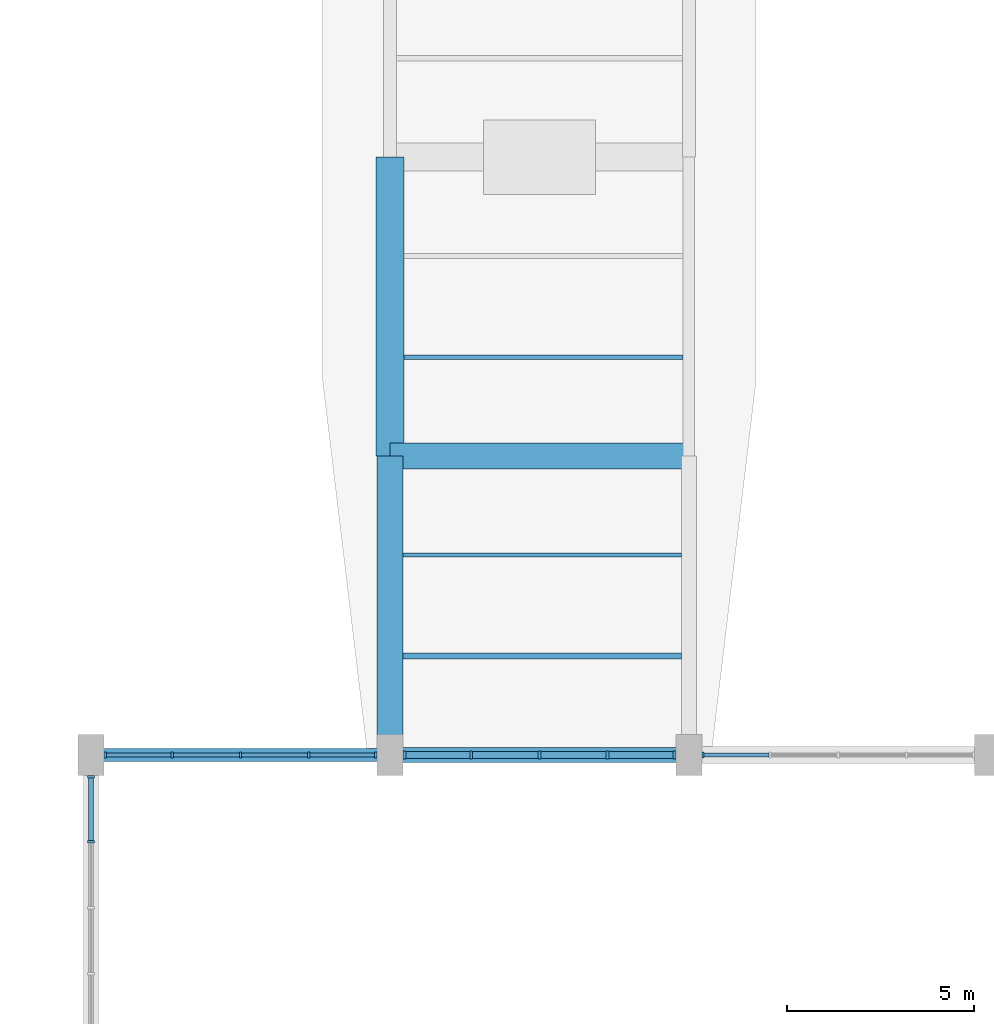
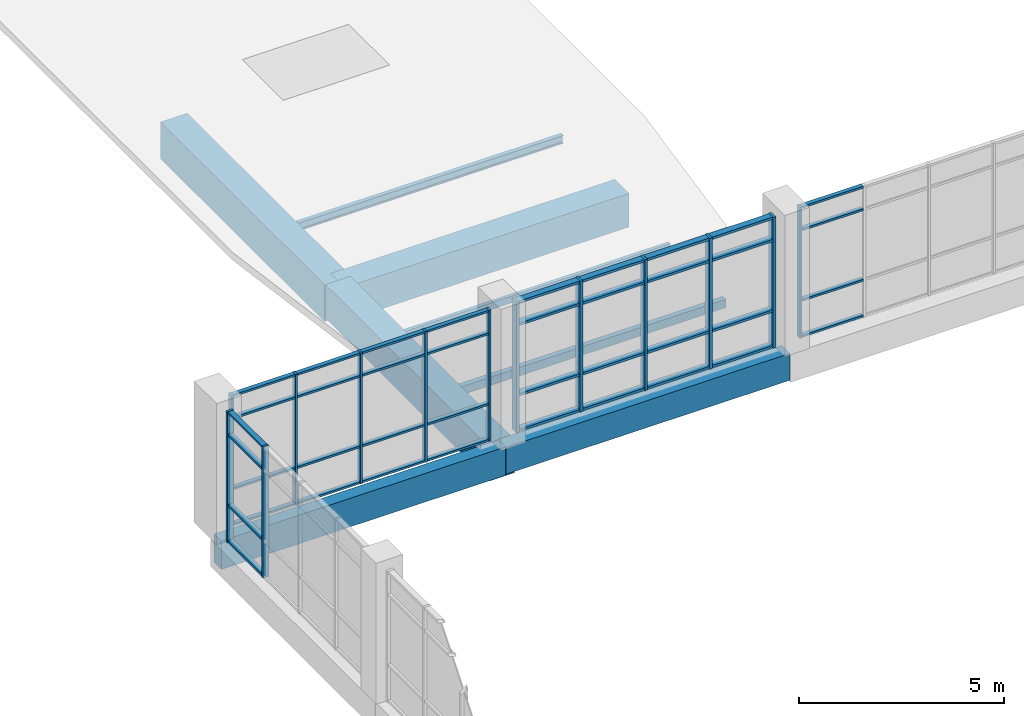
# One storey, part 7 of 72: 53 members, 8 beams, 4 elements without a shape of their own.
"""IFC4 building model written with IfcOpenShell, lengths in metres."""

import ifcopenshell
import ifcopenshell.guid

model = None  # the IFC model being written
_history = None  # IfcOwnerHistory: only IFC2X3 demands one
_inside = {}  # id of a spatial element -> (the spatial element, [elements in it])
_under = {}  # id of a project, library or spatial element -> (it, [spatial elements below it])
_declared = {}  # id of a project -> (the project, [libraries it declares])
_typed = {}  # id of a type object -> (the type object, [elements of that type])
_made_of = {}  # id of a material, layer set ... -> (it, [elements and type objects made of it])


def new_model(schema):
    """Start an empty IFC model of exactly this schema.

    Asked for "IFC4X3", IfcOpenShell would pick the latest addendum, in which some entities
    have other attributes; the version numbers below select the first issue.
    IFC2X3 requires an IfcOwnerHistory on every rooted entity: one is made here for all.
    """
    global model, _history
    if schema == "IFC4X3":
        model = ifcopenshell.file(schema_version=(4, 3, 0, 0))
    else:
        model = ifcopenshell.file(schema=schema)
    _inside.clear()
    _under.clear()
    _declared.clear()
    _typed.clear()
    _made_of.clear()
    _history = None
    if model.schema == "IFC2X3":
        org = make("IfcOrganization", Name="unknown")
        user = make(
            "IfcPersonAndOrganization",
            ThePerson=make("IfcPerson", FamilyName="unknown"),
            TheOrganization=org,
        )
        app = make(
            "IfcApplication",
            ApplicationDeveloper=org,
            Version="unknown",
            ApplicationFullName="unknown",
            ApplicationIdentifier="unknown",
        )
        _history = make(
            "IfcOwnerHistory",
            OwningUser=user,
            OwningApplication=app,
            ChangeAction="ADDED",
            CreationDate=0,
        )
    return model


def make(cls, **values):
    """One entity of the class cls with the attributes given. An attribute that is None is left unset."""
    return model.create_entity(
        cls, **{name: value for name, value in values.items() if value is not None}
    )


def rooted(cls, **values):
    """An entity with a GlobalId (a new one), such as an element, a storey or a relation."""
    return make(cls, GlobalId=ifcopenshell.guid.new(), OwnerHistory=_history, **values)


def si_unit(unit_type, name, prefix=None):
    """IfcSIUnit, for example si_unit("LENGTHUNIT", "METRE", prefix="MILLI")."""
    return make("IfcSIUnit", UnitType=unit_type, Prefix=prefix, Name=name)


def assignment(units):
    """IfcUnitAssignment: the units of a project."""
    return None if units is None else make("IfcUnitAssignment", Units=units)


def point(xyz):
    """IfcCartesianPoint."""
    return None if xyz is None else make("IfcCartesianPoint", Coordinates=xyz)


def direction(xyz):
    """IfcDirection."""
    return None if xyz is None else make("IfcDirection", DirectionRatios=xyz)


def frame(location, z_axis=None, x_axis=None):
    """IfcAxis2Placement3D, a coordinate frame: its origin and axes. An axis left out is left unset."""
    return make(
        "IfcAxis2Placement3D",
        Location=point(location),
        Axis=direction(z_axis),
        RefDirection=direction(x_axis),
    )


def frame_2d(location, x_axis=None):
    """IfcAxis2Placement2D, a coordinate frame in the plane: its origin and x axis."""
    return make(
        "IfcAxis2Placement2D", Location=point(location), RefDirection=direction(x_axis)
    )


def origin():
    """The frame at (0, 0, 0) with its axes left unset."""
    return frame((0.0, 0.0, 0.0))


def origin_2d():
    """The frame at (0, 0) in the plane with its x axis left unset."""
    return frame_2d((0.0, 0.0))


def place(relative_to, where):
    """IfcLocalPlacement: puts the frame where relative to a parent placement (None: the world)."""
    return make(
        "IfcLocalPlacement", PlacementRelTo=relative_to, RelativePlacement=where
    )


def context(
    kind, dimensions, precision=None, world=None, true_north=None, identifier=None
):
    """IfcGeometricRepresentationContext, for example the 3D "Model" context."""
    return make(
        "IfcGeometricRepresentationContext",
        ContextIdentifier=identifier,
        ContextType=kind,
        CoordinateSpaceDimension=dimensions,
        Precision=precision,
        WorldCoordinateSystem=world,
        TrueNorth=true_north,
    )


def subcontext(parent, identifier, kind, view, scale=None):
    """IfcGeometricRepresentationSubContext, for example "Body" below "Model"."""
    return make(
        "IfcGeometricRepresentationSubContext",
        ContextIdentifier=identifier,
        ContextType=kind,
        ParentContext=parent,
        TargetScale=scale,
        TargetView=view,
    )


def project(units=None, contexts=None):
    """IfcProject with its units and contexts."""
    return rooted(
        "IfcProject",
        Name="project",
        RepresentationContexts=contexts,
        UnitsInContext=assignment(units),
    )


def spatial(cls, under=None, at=None, **own):
    """A site, building, storey or space (cls), placed at a placement, below another one or the project."""
    s = rooted(cls, ObjectPlacement=at, **own)
    if under is not None:
        _under.setdefault(under.id(), (under, []))[1].append(s)
    return s


def profile(cls, at=None, kind="AREA", **sizes):
    """A parametric profile (cls). Its sizes go by their IFC names, for example OverallWidth=200.0."""
    return make(cls, ProfileType=kind, Position=at, **sizes)


def rectangle(**sizes):
    """IfcRectangleProfileDef."""
    return profile("IfcRectangleProfileDef", **sizes)


def hollow_rectangle(**sizes):
    """IfcRectangleHollowProfileDef."""
    return profile("IfcRectangleHollowProfileDef", **sizes)


def i_section(**sizes):
    """IfcIShapeProfileDef."""
    return profile("IfcIShapeProfileDef", **sizes)


def extrude(swept, where, along, depth):
    """IfcExtrudedAreaSolid: the profile swept, set in the frame where, extruded along a direction by depth."""
    return make(
        "IfcExtrudedAreaSolid",
        SweptArea=swept,
        Position=where,
        ExtrudedDirection=direction(along),
        Depth=depth,
    )


def shape(context_of_items, identifier, shape_type, items):
    """IfcShapeRepresentation: the items that make up one representation, for example the "Body"."""
    return make(
        "IfcShapeRepresentation",
        ContextOfItems=context_of_items,
        RepresentationIdentifier=identifier,
        RepresentationType=shape_type,
        Items=items,
    )


def material(Name=None, Category=None):
    """IfcMaterial."""
    return make("IfcMaterial", Name=Name, Category=Category)


def material_profile(
    of_material, cross_section, Name=None, Category=None, Priority=None
):
    """IfcMaterialProfile: a cross section and its material."""
    return make(
        "IfcMaterialProfile",
        Name=Name,
        Material=of_material,
        Profile=cross_section,
        Priority=Priority,
        Category=Category,
    )


def profile_set(profiles, Name=None, composite=None):
    """IfcMaterialProfileSet."""
    return make(
        "IfcMaterialProfileSet",
        Name=Name,
        MaterialProfiles=profiles,
        CompositeProfile=composite,
    )


def made_of(thing, what):
    """Note that an element or type object is made of a material, layer set ...; save() writes the relation."""
    if what is not None:
        _made_of.setdefault(what.id(), (what, []))[1].append(thing)
    return thing


def type_object(cls, material=None, **own):
    """A type object (cls), such as IfcWallType, which elements share."""
    return made_of(rooted(cls, **own), material)


def element(
    cls,
    number,
    at=None,
    inside=None,
    cuts=None,
    type_object=None,
    material=None,
    context=None,
    identifier="Body",
    shape_type=None,
    held_by="IfcProductDefinitionShape",
    body=None,
    shapes=None,
    **own,
):
    """One element of the class cls, such as IfcWall. Its Tag is "e" and its number.

    at: its placement. inside: the storey or other place that contains it. cuts: it is an
    opening in that element (IfcRelVoidsElement). A single representation is given by context,
    identifier, shape_type and body (its items); several are given by shapes. held_by: the class
    of the entity that holds the representations. save() writes the other relations.
    """
    e = rooted(cls, Tag="e%d" % number, ObjectPlacement=at, **own)
    if body is not None:
        shapes = [shape(context, identifier, shape_type, body)]
    if shapes is not None:
        e.Representation = make(held_by, Representations=shapes)
    if inside is not None:
        _inside.setdefault(inside.id(), (inside, []))[1].append(e)
    if cuts is not None:
        rooted(
            "IfcRelVoidsElement", RelatingBuildingElement=cuts, RelatedOpeningElement=e
        )
    if type_object is not None:
        _typed.setdefault(type_object.id(), (type_object, []))[1].append(e)
    return made_of(e, material)


def aggregate(whole, parts):
    """IfcRelAggregates: a whole, such as a stair, and the parts it consists of."""
    return rooted("IfcRelAggregates", RelatingObject=whole, RelatedObjects=parts)


def save(model, path):
    """Write the relations noted so far, then the file.

    IfcRelAggregates (storeys below a building ...), IfcRelContainedInSpatialStructure (elements
    in a storey), IfcRelDefinesByType, IfcRelAssociatesMaterial and IfcRelDeclares: one each for
    every whole, place, type object, material and project.
    """
    for whole, parts in _under.values():
        aggregate(whole, parts)
    for where, things in _inside.values():
        rooted(
            "IfcRelContainedInSpatialStructure",
            RelatedElements=things,
            RelatingStructure=where,
        )
    for kind, things in _typed.values():
        rooted("IfcRelDefinesByType", RelatedObjects=things, RelatingType=kind)
    for what, things in _made_of.values():
        rooted("IfcRelAssociatesMaterial", RelatedObjects=things, RelatingMaterial=what)
    for by, libraries in _declared.values():
        rooted("IfcRelDeclares", RelatingContext=by, RelatedDefinitions=libraries)
    model.write(path)


model = new_model("IFC4")

# Units and contexts
model_context = context("Model", 3, precision=1e-05, world=origin(), true_north=direction((0.0, 1.0)))
body_context = subcontext(model_context, "Body", "Model", "MODEL_VIEW")
ifc_project = project(units=[si_unit("LENGTHUNIT", "METRE"), si_unit("AREAUNIT", "SQUARE_METRE"), si_unit("VOLUMEUNIT", "CUBIC_METRE"), si_unit("PLANEANGLEUNIT", "RADIAN"), si_unit("MASSUNIT", "GRAM", prefix="KILO")], contexts=[model_context])

# Site, building, storey
site_placement = place(None, origin())
site = spatial("IfcSite", under=ifc_project, at=site_placement, CompositionType="ELEMENT")
building_placement = place(site_placement, origin())
building = spatial("IfcBuilding", under=site, at=building_placement, Name="Tenunan Teduh Sports Hall", CompositionType="ELEMENT")
storey_placement = place(building_placement, frame((0.0, 0.0, 15.0)))
storey = spatial("IfcBuildingStorey", under=building, at=storey_placement, Name="L03", CompositionType="ELEMENT", Elevation=15.0)

# Beams
ifc_material_1 = material(Name="Concrete C40/50", Category="concrete")
ifc_material_profile_1 = material_profile(ifc_material_1, rectangle(XDim=0.39990234375, YDim=0.800048828125, at=origin_2d()), Name="RCB 400x800")
ifc_profile_set_1 = profile_set([ifc_material_profile_1], Name="Concrete C40/50")
beam_type_1 = type_object("IfcBeamType", Name="BM-RC-400x800", PredefinedType="BEAM", material=ifc_profile_set_1)
beam_1_placement = place(storey_placement, frame((14.0, 46.0, -0.639892578125), z_axis=(1.0, 0.0, 0.0), x_axis=(0.0, 1.0, 0.0)))
element("IfcBeam", 1, at=beam_1_placement, inside=storey, type_object=beam_type_1, Name="BM-B-10-L03-1817", PredefinedType="BEAM", context=body_context, shape_type="SweptSolid", body=[
    extrude(rectangle(XDim=0.39990234375, YDim=0.800048828125, at=origin_2d()), origin(), (0.0, 0.0, 1.0), 8.0),
])
ifc_material_2 = material(Name="Concrete C40/50", Category="concrete")
ifc_material_profile_2 = material_profile(ifc_material_2, rectangle(XDim=0.699951171875, YDim=1.0, at=origin_2d()), Name="RCB 700x1000")
ifc_profile_set_2 = profile_set([ifc_material_profile_2], Name="Concrete C40/50")
beam_type_2 = type_object("IfcBeamType", Name="BM-RC-700x1000", PredefinedType="SPANDREL", material=ifc_profile_set_2)
for number, where, z_axis, x_axis, name in (
    (2, (14.0, 54.0, -0.739990234375), (1.0, 0.0, 0.0), (0.0, 1.0, 0.0), "BM-B-19-L03-1822"),
    (3, (14.0, 46.0, -0.739990234375), (0.0, 1.0, 0.0), (-1.0, 0.0, 0.0), "BM-B-19-L03-1885"),
):
    element("IfcBeam", number, at=place(storey_placement, frame(where, z_axis=z_axis, x_axis=x_axis)), inside=storey, type_object=beam_type_2, Name=name, PredefinedType="SPANDREL", context=body_context, shape_type="SweptSolid", body=[
        extrude(rectangle(XDim=0.699951171875, YDim=1.0, at=origin_2d()), origin(), (0.0, 0.0, 1.0), 8.0),
    ])
ifc_material_3 = material(Name="Concrete C40/50", Category="concrete")
ifc_material_profile_3 = material_profile(ifc_material_3, rectangle(XDim=0.75, YDim=1.10009765625, at=origin_2d()), Name="RCB 750x1100")
ifc_profile_set_3 = profile_set([ifc_material_profile_3], Name="Concrete C40/50")
beam_type_3 = type_object("IfcBeamType", Name="BM-RC-750x1100", PredefinedType="SPANDREL", material=ifc_profile_set_3)
beam_2_placement = place(storey_placement, frame((14.0, 54.0, -0.7900390625), z_axis=(0.0, 1.0, 0.0), x_axis=(-1.0, 0.0, 0.0)))
element("IfcBeam", 4, at=beam_2_placement, inside=storey, type_object=beam_type_3, Name="BM-B-20-L03-1886", PredefinedType="SPANDREL", context=body_context, shape_type="SweptSolid", body=[
    extrude(rectangle(XDim=0.75, YDim=1.10009765625, at=origin_2d()), origin(), (0.0, 0.0, 1.0), 8.0),
])
ifc_material_4 = material(Name="Concrete C40/50", Category="concrete")
ifc_material_profile_4 = material_profile(ifc_material_4, rectangle(XDim=0.35009765625, YDim=0.85009765625, at=origin_2d()), Name="SPB 350x850")
ifc_profile_set_4 = profile_set([ifc_material_profile_4], Name="Concrete C40/50")
beam_type_4 = type_object("IfcBeamType", Name="BM-SP-350x850", PredefinedType="SPANDREL", material=ifc_profile_set_4)
beam_3_placement = place(storey_placement, frame((6.0, 46.0, -0.6650390625), z_axis=(1.0, 0.0, 0.0), x_axis=(0.0, 1.0, 0.0)))
element("IfcBeam", 5, at=beam_3_placement, inside=storey, type_object=beam_type_4, Name="BM-SP-02-L03-1816", PredefinedType="SPANDREL", context=body_context, shape_type="SweptSolid", body=[
    extrude(rectangle(XDim=0.35009765625, YDim=0.85009765625, at=origin_2d()), origin(), (0.0, 0.0, 1.0), 8.0),
])

# Curtain wall, members
ifc_material_5 = material(Name="Anodised aluminium", Category="aluminium")
curtain_wall_type = type_object("IfcCurtainWallType", Name="CW-UNIT-2", PredefinedType="NOTDEFINED", material=ifc_material_5)
curtain_wall_1_placement = place(storey_placement, origin())
curtain_wall_1 = element("IfcCurtainWall", 6, at=curtain_wall_1_placement, inside=storey, type_object=curtain_wall_type, Name="CW-CWM-150-L03-075", PredefinedType="NOTDEFINED")
ifc_material_6 = material(Name="Anodised aluminium", Category="aluminium")
ifc_material_profile_5 = material_profile(ifc_material_6, rectangle(XDim=0.06005859375, YDim=0.14990234375, at=origin_2d()), Name="CWM 60x150")
ifc_profile_set_5 = profile_set([ifc_material_profile_5], Name="Anodised aluminium")
member_type_1 = type_object("IfcMemberType", Name="CWM-150", PredefinedType="MULLION", material=ifc_profile_set_5)
member_1_placement = place(storey_placement, frame((6.3798828125, 46.0, 0.0), z_axis=(0.0, 0.0, 1.0), x_axis=(1.0, 0.0, 0.0)))
member_1 = element("IfcMember", 7, at=member_1_placement, type_object=member_type_1, Name="CW-02 mullion 1", PredefinedType="MULLION", context=body_context, shape_type="SweptSolid", body=[
    extrude(rectangle(XDim=0.06005859375, YDim=0.14990234375, at=origin_2d()), origin(), (0.0, 0.0, 1.0), 3.89990234375),
])
member_2_placement = place(storey_placement, frame((8.175048828125, 46.0, 0.0), z_axis=(0.0, 0.0, 1.0), x_axis=(1.0, 0.0, 0.0)))
member_2 = element("IfcMember", 8, at=member_2_placement, type_object=member_type_1, Name="CW-02 mullion 2", PredefinedType="MULLION", context=body_context, shape_type="SweptSolid", body=[
    extrude(rectangle(XDim=0.06005859375, YDim=0.14990234375, at=origin_2d()), origin(), (0.0, 0.0, 1.0), 3.89990234375),
])
member_3_placement = place(storey_placement, frame((10.0, 46.0, 0.0), z_axis=(0.0, 0.0, 1.0), x_axis=(1.0, 0.0, 0.0)))
member_3 = element("IfcMember", 9, at=member_3_placement, type_object=member_type_1, Name="CW-02 mullion 3", PredefinedType="MULLION", context=body_context, shape_type="SweptSolid", body=[
    extrude(rectangle(XDim=0.06005859375, YDim=0.14990234375, at=origin_2d()), origin(), (0.0, 0.0, 1.0), 3.89990234375),
])
member_4_placement = place(storey_placement, frame((11.824951171875, 46.0, 0.0), z_axis=(0.0, 0.0, 1.0), x_axis=(1.0, 0.0, 0.0)))
member_4 = element("IfcMember", 10, at=member_4_placement, type_object=member_type_1, Name="CW-02 mullion 4", PredefinedType="MULLION", context=body_context, shape_type="SweptSolid", body=[
    extrude(rectangle(XDim=0.06005859375, YDim=0.14990234375, at=origin_2d()), origin(), (0.0, 0.0, 1.0), 3.89990234375),
])
member_5_placement = place(storey_placement, frame((13.6201171875, 46.0, 0.0), z_axis=(0.0, 0.0, 1.0), x_axis=(1.0, 0.0, 0.0)))
member_5 = element("IfcMember", 11, at=member_5_placement, type_object=member_type_1, Name="CW-02 mullion 5", PredefinedType="MULLION", context=body_context, shape_type="SweptSolid", body=[
    extrude(rectangle(XDim=0.06005859375, YDim=0.14990234375, at=origin_2d()), origin(), (0.0, 0.0, 1.0), 3.89990234375),
])

# Curtain wall, member
curtain_wall_2_placement = place(storey_placement, origin())
curtain_wall_2 = element("IfcCurtainWall", 12, at=curtain_wall_2_placement, inside=storey, type_object=curtain_wall_type, Name="CW-CWM-150-L03-079", PredefinedType="NOTDEFINED")
member_6_placement = place(storey_placement, frame((22.3798828125, 46.0, 0.0), z_axis=(0.0, 0.0, 1.0), x_axis=(1.0, 0.0, 0.0)))
member_6 = element("IfcMember", 13, at=member_6_placement, type_object=member_type_1, Name="CW-02 mullion 1", PredefinedType="MULLION", context=body_context, shape_type="SweptSolid", body=[
    extrude(rectangle(XDim=0.06005859375, YDim=0.14990234375, at=origin_2d()), origin(), (0.0, 0.0, 1.0), 3.89990234375),
])

# Curtain wall, members
curtain_wall_3_placement = place(storey_placement, origin())
curtain_wall_3 = element("IfcCurtainWall", 14, at=curtain_wall_3_placement, inside=storey, type_object=curtain_wall_type, Name="CW-CWM-175-L03-090", PredefinedType="NOTDEFINED")
ifc_material_7 = material(Name="Anodised aluminium", Category="aluminium")
ifc_material_profile_6 = material_profile(ifc_material_7, rectangle(XDim=0.06494140625, YDim=0.175048828125, at=origin_2d()), Name="CWM 65x175")
ifc_profile_set_6 = profile_set([ifc_material_profile_6], Name="Anodised aluminium")
member_type_2 = type_object("IfcMemberType", Name="CWM-175", PredefinedType="MULLION", material=ifc_profile_set_6)
member_7_placement = place(storey_placement, frame((6.0, 43.68115234375, 0.0), z_axis=(0.0, 0.0, 1.0), x_axis=(0.0, 1.0, 0.0)))
member_7 = element("IfcMember", 15, at=member_7_placement, type_object=member_type_2, Name="CW-02 mullion 4", PredefinedType="MULLION", context=body_context, shape_type="SweptSolid", body=[
    extrude(rectangle(XDim=0.06494140625, YDim=0.175048828125, at=origin_2d()), origin(), (0.0, 0.0, 1.0), 3.89990234375),
])
member_8_placement = place(storey_placement, frame((6.0, 45.41748046875, 0.0), z_axis=(0.0, 0.0, 1.0), x_axis=(0.0, 1.0, 0.0)))
member_8 = element("IfcMember", 16, at=member_8_placement, type_object=member_type_2, Name="CW-02 mullion 5", PredefinedType="MULLION", context=body_context, shape_type="SweptSolid", body=[
    extrude(rectangle(XDim=0.06494140625, YDim=0.175048828125, at=origin_2d()), origin(), (0.0, 0.0, 1.0), 3.89990234375),
])

curtain_wall_4_placement = place(storey_placement, origin())
curtain_wall_4 = element("IfcCurtainWall", 17, at=curtain_wall_4_placement, inside=storey, type_object=curtain_wall_type, Name="CW-CWM-220-L03-077", PredefinedType="NOTDEFINED")
ifc_material_8 = material(Name="Anodised aluminium", Category="aluminium")
ifc_material_profile_7 = material_profile(ifc_material_8, rectangle(XDim=0.074951171875, YDim=0.219970703125, at=origin_2d()), Name="CWM 75x220")
ifc_profile_set_7 = profile_set([ifc_material_profile_7], Name="Anodised aluminium")
member_type_3 = type_object("IfcMemberType", Name="CWM-220", PredefinedType="MULLION", material=ifc_profile_set_7)
member_9_placement = place(storey_placement, frame((14.387451171875, 46.0, 0.0), z_axis=(0.0, 0.0, 1.0), x_axis=(1.0, 0.0, 0.0)))
member_9 = element("IfcMember", 18, at=member_9_placement, type_object=member_type_3, Name="CW-02 mullion 1", PredefinedType="MULLION", context=body_context, shape_type="SweptSolid", body=[
    extrude(rectangle(XDim=0.074951171875, YDim=0.219970703125, at=origin_2d()), origin(), (0.0, 0.0, 1.0), 3.89990234375),
])
member_10_placement = place(storey_placement, frame((16.175048828125, 46.0, 0.0), z_axis=(0.0, 0.0, 1.0), x_axis=(1.0, 0.0, 0.0)))
member_10 = element("IfcMember", 19, at=member_10_placement, type_object=member_type_3, Name="CW-02 mullion 2", PredefinedType="MULLION", context=body_context, shape_type="SweptSolid", body=[
    extrude(rectangle(XDim=0.074951171875, YDim=0.219970703125, at=origin_2d()), origin(), (0.0, 0.0, 1.0), 3.89990234375),
])
member_11_placement = place(storey_placement, frame((18.0, 46.0, 0.0), z_axis=(0.0, 0.0, 1.0), x_axis=(1.0, 0.0, 0.0)))
member_11 = element("IfcMember", 20, at=member_11_placement, type_object=member_type_3, Name="CW-02 mullion 3", PredefinedType="MULLION", context=body_context, shape_type="SweptSolid", body=[
    extrude(rectangle(XDim=0.074951171875, YDim=0.219970703125, at=origin_2d()), origin(), (0.0, 0.0, 1.0), 3.89990234375),
])
member_12_placement = place(storey_placement, frame((19.824951171875, 46.0, 0.0), z_axis=(0.0, 0.0, 1.0), x_axis=(1.0, 0.0, 0.0)))
member_12 = element("IfcMember", 21, at=member_12_placement, type_object=member_type_3, Name="CW-02 mullion 4", PredefinedType="MULLION", context=body_context, shape_type="SweptSolid", body=[
    extrude(rectangle(XDim=0.074951171875, YDim=0.219970703125, at=origin_2d()), origin(), (0.0, 0.0, 1.0), 3.89990234375),
])
member_13_placement = place(storey_placement, frame((21.612548828125, 46.0, 0.0), z_axis=(0.0, 0.0, 1.0), x_axis=(1.0, 0.0, 0.0)))
member_13 = element("IfcMember", 22, at=member_13_placement, type_object=member_type_3, Name="CW-02 mullion 5", PredefinedType="MULLION", context=body_context, shape_type="SweptSolid", body=[
    extrude(rectangle(XDim=0.074951171875, YDim=0.219970703125, at=origin_2d()), origin(), (0.0, 0.0, 1.0), 3.89990234375),
])

# Member
ifc_material_9 = material(Name="Anodised aluminium", Category="aluminium")
ifc_material_profile_8 = material_profile(ifc_material_9, rectangle(XDim=0.06005859375, YDim=0.1201171875, at=origin_2d()), Name="CWT 60x120")
ifc_profile_set_8 = profile_set([ifc_material_profile_8], Name="Anodised aluminium")
member_type_4 = type_object("IfcMemberType", Name="CWT-125", PredefinedType="USERDEFINED", material=ifc_profile_set_8)
member_14_placement = place(storey_placement, frame((6.409912109375, 46.0, 0.030029296875), z_axis=(1.0, 0.0, 0.0), x_axis=(0.0, 0.0, 1.0)))
member_14 = element("IfcMember", 23, at=member_14_placement, type_object=member_type_4, Name="CW-02 transom 1.1", ObjectType="TRANSOM", PredefinedType="USERDEFINED", context=body_context, shape_type="SweptSolid", body=[
    extrude(rectangle(XDim=0.06005859375, YDim=0.1201171875, at=origin_2d()), origin(), (0.0, 0.0, 1.0), 1.735107421875),
])

member_15_placement = place(storey_placement, frame((6.409912109375, 46.0, 1.10009765625), z_axis=(1.0, 0.0, 0.0), x_axis=(0.0, 0.0, 1.0)))
member_15 = element("IfcMember", 24, at=member_15_placement, type_object=member_type_4, Name="CW-02 transom 1.2", ObjectType="TRANSOM", PredefinedType="USERDEFINED", context=body_context, shape_type="SweptSolid", body=[
    extrude(rectangle(XDim=0.06005859375, YDim=0.1201171875, at=origin_2d()), origin(), (0.0, 0.0, 1.0), 1.735107421875),
])

member_16_placement = place(storey_placement, frame((6.409912109375, 46.0, 3.199951171875), z_axis=(1.0, 0.0, 0.0), x_axis=(0.0, 0.0, 1.0)))
member_16 = element("IfcMember", 25, at=member_16_placement, type_object=member_type_4, Name="CW-02 transom 1.3", ObjectType="TRANSOM", PredefinedType="USERDEFINED", context=body_context, shape_type="SweptSolid", body=[
    extrude(rectangle(XDim=0.06005859375, YDim=0.1201171875, at=origin_2d()), origin(), (0.0, 0.0, 1.0), 1.735107421875),
])

member_17_placement = place(storey_placement, frame((6.409912109375, 46.0, 3.8701171875), z_axis=(1.0, 0.0, 0.0), x_axis=(0.0, 0.0, 1.0)))
member_17 = element("IfcMember", 26, at=member_17_placement, type_object=member_type_4, Name="CW-02 transom 1.4", ObjectType="TRANSOM", PredefinedType="USERDEFINED", context=body_context, shape_type="SweptSolid", body=[
    extrude(rectangle(XDim=0.06005859375, YDim=0.1201171875, at=origin_2d()), origin(), (0.0, 0.0, 1.0), 1.735107421875),
])

member_18_placement = place(storey_placement, frame((8.205078125, 46.0, 0.030029296875), z_axis=(1.0, 0.0, 0.0), x_axis=(0.0, 0.0, 1.0)))
member_18 = element("IfcMember", 27, at=member_18_placement, type_object=member_type_4, Name="CW-02 transom 2.1", ObjectType="TRANSOM", PredefinedType="USERDEFINED", context=body_context, shape_type="SweptSolid", body=[
    extrude(rectangle(XDim=0.06005859375, YDim=0.1201171875, at=origin_2d()), origin(), (0.0, 0.0, 1.0), 1.764892578125),
])

member_19_placement = place(storey_placement, frame((8.205078125, 46.0, 1.10009765625), z_axis=(1.0, 0.0, 0.0), x_axis=(0.0, 0.0, 1.0)))
member_19 = element("IfcMember", 28, at=member_19_placement, type_object=member_type_4, Name="CW-02 transom 2.2", ObjectType="TRANSOM", PredefinedType="USERDEFINED", context=body_context, shape_type="SweptSolid", body=[
    extrude(rectangle(XDim=0.06005859375, YDim=0.1201171875, at=origin_2d()), origin(), (0.0, 0.0, 1.0), 1.764892578125),
])

member_20_placement = place(storey_placement, frame((8.205078125, 46.0, 3.199951171875), z_axis=(1.0, 0.0, 0.0), x_axis=(0.0, 0.0, 1.0)))
member_20 = element("IfcMember", 29, at=member_20_placement, type_object=member_type_4, Name="CW-02 transom 2.3", ObjectType="TRANSOM", PredefinedType="USERDEFINED", context=body_context, shape_type="SweptSolid", body=[
    extrude(rectangle(XDim=0.06005859375, YDim=0.1201171875, at=origin_2d()), origin(), (0.0, 0.0, 1.0), 1.764892578125),
])

member_21_placement = place(storey_placement, frame((8.205078125, 46.0, 3.8701171875), z_axis=(1.0, 0.0, 0.0), x_axis=(0.0, 0.0, 1.0)))
member_21 = element("IfcMember", 30, at=member_21_placement, type_object=member_type_4, Name="CW-02 transom 2.4", ObjectType="TRANSOM", PredefinedType="USERDEFINED", context=body_context, shape_type="SweptSolid", body=[
    extrude(rectangle(XDim=0.06005859375, YDim=0.1201171875, at=origin_2d()), origin(), (0.0, 0.0, 1.0), 1.764892578125),
])

member_22_placement = place(storey_placement, frame((10.030029296875, 46.0, 0.030029296875), z_axis=(1.0, 0.0, 0.0), x_axis=(0.0, 0.0, 1.0)))
member_22 = element("IfcMember", 31, at=member_22_placement, type_object=member_type_4, Name="CW-02 transom 3.1", ObjectType="TRANSOM", PredefinedType="USERDEFINED", context=body_context, shape_type="SweptSolid", body=[
    extrude(rectangle(XDim=0.06005859375, YDim=0.1201171875, at=origin_2d()), origin(), (0.0, 0.0, 1.0), 1.764892578125),
])

member_23_placement = place(storey_placement, frame((10.030029296875, 46.0, 1.10009765625), z_axis=(1.0, 0.0, 0.0), x_axis=(0.0, 0.0, 1.0)))
member_23 = element("IfcMember", 32, at=member_23_placement, type_object=member_type_4, Name="CW-02 transom 3.2", ObjectType="TRANSOM", PredefinedType="USERDEFINED", context=body_context, shape_type="SweptSolid", body=[
    extrude(rectangle(XDim=0.06005859375, YDim=0.1201171875, at=origin_2d()), origin(), (0.0, 0.0, 1.0), 1.764892578125),
])

member_24_placement = place(storey_placement, frame((10.030029296875, 46.0, 3.199951171875), z_axis=(1.0, 0.0, 0.0), x_axis=(0.0, 0.0, 1.0)))
member_24 = element("IfcMember", 33, at=member_24_placement, type_object=member_type_4, Name="CW-02 transom 3.3", ObjectType="TRANSOM", PredefinedType="USERDEFINED", context=body_context, shape_type="SweptSolid", body=[
    extrude(rectangle(XDim=0.06005859375, YDim=0.1201171875, at=origin_2d()), origin(), (0.0, 0.0, 1.0), 1.764892578125),
])

member_25_placement = place(storey_placement, frame((10.030029296875, 46.0, 3.8701171875), z_axis=(1.0, 0.0, 0.0), x_axis=(0.0, 0.0, 1.0)))
member_25 = element("IfcMember", 34, at=member_25_placement, type_object=member_type_4, Name="CW-02 transom 3.4", ObjectType="TRANSOM", PredefinedType="USERDEFINED", context=body_context, shape_type="SweptSolid", body=[
    extrude(rectangle(XDim=0.06005859375, YDim=0.1201171875, at=origin_2d()), origin(), (0.0, 0.0, 1.0), 1.764892578125),
])

member_26_placement = place(storey_placement, frame((11.85498046875, 46.0, 0.030029296875), z_axis=(1.0, 0.0, 0.0), x_axis=(0.0, 0.0, 1.0)))
member_26 = element("IfcMember", 35, at=member_26_placement, type_object=member_type_4, Name="CW-02 transom 4.1", ObjectType="TRANSOM", PredefinedType="USERDEFINED", context=body_context, shape_type="SweptSolid", body=[
    extrude(rectangle(XDim=0.06005859375, YDim=0.1201171875, at=origin_2d()), origin(), (0.0, 0.0, 1.0), 1.735107421875),
])

member_27_placement = place(storey_placement, frame((11.85498046875, 46.0, 1.10009765625), z_axis=(1.0, 0.0, 0.0), x_axis=(0.0, 0.0, 1.0)))
member_27 = element("IfcMember", 36, at=member_27_placement, type_object=member_type_4, Name="CW-02 transom 4.2", ObjectType="TRANSOM", PredefinedType="USERDEFINED", context=body_context, shape_type="SweptSolid", body=[
    extrude(rectangle(XDim=0.06005859375, YDim=0.1201171875, at=origin_2d()), origin(), (0.0, 0.0, 1.0), 1.735107421875),
])

member_28_placement = place(storey_placement, frame((11.85498046875, 46.0, 3.199951171875), z_axis=(1.0, 0.0, 0.0), x_axis=(0.0, 0.0, 1.0)))
member_28 = element("IfcMember", 37, at=member_28_placement, type_object=member_type_4, Name="CW-02 transom 4.3", ObjectType="TRANSOM", PredefinedType="USERDEFINED", context=body_context, shape_type="SweptSolid", body=[
    extrude(rectangle(XDim=0.06005859375, YDim=0.1201171875, at=origin_2d()), origin(), (0.0, 0.0, 1.0), 1.735107421875),
])

member_29_placement = place(storey_placement, frame((11.85498046875, 46.0, 3.8701171875), z_axis=(1.0, 0.0, 0.0), x_axis=(0.0, 0.0, 1.0)))
member_29 = element("IfcMember", 38, at=member_29_placement, type_object=member_type_4, Name="CW-02 transom 4.4", ObjectType="TRANSOM", PredefinedType="USERDEFINED", context=body_context, shape_type="SweptSolid", body=[
    extrude(rectangle(XDim=0.06005859375, YDim=0.1201171875, at=origin_2d()), origin(), (0.0, 0.0, 1.0), 1.735107421875),
])

aggregate(curtain_wall_1, [member_1, member_2, member_3, member_4, member_5, member_14, member_15, member_16, member_17, member_18, member_19, member_20, member_21, member_22, member_23, member_24, member_25, member_26, member_27, member_28, member_29])

member_30_placement = place(storey_placement, frame((22.409912109375, 46.0, 0.030029296875), z_axis=(1.0, 0.0, 0.0), x_axis=(0.0, 0.0, 1.0)))
member_30 = element("IfcMember", 39, at=member_30_placement, type_object=member_type_4, Name="CW-02 transom 1.1", ObjectType="TRANSOM", PredefinedType="USERDEFINED", context=body_context, shape_type="SweptSolid", body=[
    extrude(rectangle(XDim=0.06005859375, YDim=0.1201171875, at=origin_2d()), origin(), (0.0, 0.0, 1.0), 1.735107421875),
])

member_31_placement = place(storey_placement, frame((22.409912109375, 46.0, 1.10009765625), z_axis=(1.0, 0.0, 0.0), x_axis=(0.0, 0.0, 1.0)))
member_31 = element("IfcMember", 40, at=member_31_placement, type_object=member_type_4, Name="CW-02 transom 1.2", ObjectType="TRANSOM", PredefinedType="USERDEFINED", context=body_context, shape_type="SweptSolid", body=[
    extrude(rectangle(XDim=0.06005859375, YDim=0.1201171875, at=origin_2d()), origin(), (0.0, 0.0, 1.0), 1.735107421875),
])

member_32_placement = place(storey_placement, frame((22.409912109375, 46.0, 3.199951171875), z_axis=(1.0, 0.0, 0.0), x_axis=(0.0, 0.0, 1.0)))
member_32 = element("IfcMember", 41, at=member_32_placement, type_object=member_type_4, Name="CW-02 transom 1.3", ObjectType="TRANSOM", PredefinedType="USERDEFINED", context=body_context, shape_type="SweptSolid", body=[
    extrude(rectangle(XDim=0.06005859375, YDim=0.1201171875, at=origin_2d()), origin(), (0.0, 0.0, 1.0), 1.735107421875),
])

member_33_placement = place(storey_placement, frame((22.409912109375, 46.0, 3.8701171875), z_axis=(1.0, 0.0, 0.0), x_axis=(0.0, 0.0, 1.0)))
member_33 = element("IfcMember", 42, at=member_33_placement, type_object=member_type_4, Name="CW-02 transom 1.4", ObjectType="TRANSOM", PredefinedType="USERDEFINED", context=body_context, shape_type="SweptSolid", body=[
    extrude(rectangle(XDim=0.06005859375, YDim=0.1201171875, at=origin_2d()), origin(), (0.0, 0.0, 1.0), 1.735107421875),
])

aggregate(curtain_wall_2, [member_6, member_30, member_31, member_32, member_33])

ifc_material_10 = material(Name="Anodised aluminium", Category="aluminium")
ifc_material_profile_9 = material_profile(ifc_material_10, rectangle(XDim=0.06494140625, YDim=0.139892578125, at=origin_2d()), Name="CWT 65x140")
ifc_profile_set_9 = profile_set([ifc_material_profile_9], Name="Anodised aluminium")
member_type_5 = type_object("IfcMemberType", Name="CWT-150", PredefinedType="USERDEFINED", material=ifc_profile_set_9)
member_34_placement = place(storey_placement, frame((6.0, 43.7138671875, 0.032470703125), z_axis=(0.0, 1.0, 0.0), x_axis=(0.0, 0.0, 1.0)))
member_34 = element("IfcMember", 43, at=member_34_placement, type_object=member_type_5, Name="CW-02 transom 4.1", ObjectType="TRANSOM", PredefinedType="USERDEFINED", context=body_context, shape_type="SweptSolid", body=[
    extrude(rectangle(XDim=0.06494140625, YDim=0.139892578125, at=origin_2d()), origin(), (0.0, 0.0, 1.0), 1.671142578125),
])

member_35_placement = place(storey_placement, frame((6.0, 43.7138671875, 1.10009765625), z_axis=(0.0, 1.0, 0.0), x_axis=(0.0, 0.0, 1.0)))
member_35 = element("IfcMember", 44, at=member_35_placement, type_object=member_type_5, Name="CW-02 transom 4.2", ObjectType="TRANSOM", PredefinedType="USERDEFINED", context=body_context, shape_type="SweptSolid", body=[
    extrude(rectangle(XDim=0.06494140625, YDim=0.139892578125, at=origin_2d()), origin(), (0.0, 0.0, 1.0), 1.671142578125),
])

member_36_placement = place(storey_placement, frame((6.0, 43.7138671875, 3.199951171875), z_axis=(0.0, 1.0, 0.0), x_axis=(0.0, 0.0, 1.0)))
member_36 = element("IfcMember", 45, at=member_36_placement, type_object=member_type_5, Name="CW-02 transom 4.3", ObjectType="TRANSOM", PredefinedType="USERDEFINED", context=body_context, shape_type="SweptSolid", body=[
    extrude(rectangle(XDim=0.06494140625, YDim=0.139892578125, at=origin_2d()), origin(), (0.0, 0.0, 1.0), 1.671142578125),
])

member_37_placement = place(storey_placement, frame((6.0, 43.7138671875, 3.867431640625), z_axis=(0.0, 1.0, 0.0), x_axis=(0.0, 0.0, 1.0)))
member_37 = element("IfcMember", 46, at=member_37_placement, type_object=member_type_5, Name="CW-02 transom 4.4", ObjectType="TRANSOM", PredefinedType="USERDEFINED", context=body_context, shape_type="SweptSolid", body=[
    extrude(rectangle(XDim=0.06494140625, YDim=0.139892578125, at=origin_2d()), origin(), (0.0, 0.0, 1.0), 1.671142578125),
])

aggregate(curtain_wall_3, [member_7, member_8, member_34, member_35, member_36, member_37])

ifc_material_11 = material(Name="Anodised aluminium", Category="aluminium")
ifc_material_profile_10 = material_profile(ifc_material_11, rectangle(XDim=0.074951171875, YDim=0.179931640625, at=origin_2d()), Name="CWT 75x180")
ifc_profile_set_10 = profile_set([ifc_material_profile_10], Name="Anodised aluminium")
member_type_6 = type_object("IfcMemberType", Name="CWT-180", PredefinedType="USERDEFINED", material=ifc_profile_set_10)
member_38_placement = place(storey_placement, frame((14.425048828125, 46.0, 0.03759765625), z_axis=(1.0, 0.0, 0.0), x_axis=(0.0, 0.0, 1.0)))
member_38 = element("IfcMember", 47, at=member_38_placement, type_object=member_type_6, Name="CW-02 transom 1.1", ObjectType="TRANSOM", PredefinedType="USERDEFINED", context=body_context, shape_type="SweptSolid", body=[
    extrude(rectangle(XDim=0.074951171875, YDim=0.179931640625, at=origin_2d()), origin(), (0.0, 0.0, 1.0), 1.71240234375),
])

member_39_placement = place(storey_placement, frame((14.425048828125, 46.0, 1.10009765625), z_axis=(1.0, 0.0, 0.0), x_axis=(0.0, 0.0, 1.0)))
member_39 = element("IfcMember", 48, at=member_39_placement, type_object=member_type_6, Name="CW-02 transom 1.2", ObjectType="TRANSOM", PredefinedType="USERDEFINED", context=body_context, shape_type="SweptSolid", body=[
    extrude(rectangle(XDim=0.074951171875, YDim=0.179931640625, at=origin_2d()), origin(), (0.0, 0.0, 1.0), 1.71240234375),
])

member_40_placement = place(storey_placement, frame((14.425048828125, 46.0, 3.199951171875), z_axis=(1.0, 0.0, 0.0), x_axis=(0.0, 0.0, 1.0)))
member_40 = element("IfcMember", 49, at=member_40_placement, type_object=member_type_6, Name="CW-02 transom 1.3", ObjectType="TRANSOM", PredefinedType="USERDEFINED", context=body_context, shape_type="SweptSolid", body=[
    extrude(rectangle(XDim=0.074951171875, YDim=0.179931640625, at=origin_2d()), origin(), (0.0, 0.0, 1.0), 1.71240234375),
])

member_41_placement = place(storey_placement, frame((14.425048828125, 46.0, 3.862548828125), z_axis=(1.0, 0.0, 0.0), x_axis=(0.0, 0.0, 1.0)))
member_41 = element("IfcMember", 50, at=member_41_placement, type_object=member_type_6, Name="CW-02 transom 1.4", ObjectType="TRANSOM", PredefinedType="USERDEFINED", context=body_context, shape_type="SweptSolid", body=[
    extrude(rectangle(XDim=0.074951171875, YDim=0.179931640625, at=origin_2d()), origin(), (0.0, 0.0, 1.0), 1.71240234375),
])

member_42_placement = place(storey_placement, frame((16.21240234375, 46.0, 0.03759765625), z_axis=(1.0, 0.0, 0.0), x_axis=(0.0, 0.0, 1.0)))
member_42 = element("IfcMember", 51, at=member_42_placement, type_object=member_type_6, Name="CW-02 transom 2.1", ObjectType="TRANSOM", PredefinedType="USERDEFINED", context=body_context, shape_type="SweptSolid", body=[
    extrude(rectangle(XDim=0.074951171875, YDim=0.179931640625, at=origin_2d()), origin(), (0.0, 0.0, 1.0), 1.75),
])

member_43_placement = place(storey_placement, frame((16.21240234375, 46.0, 1.10009765625), z_axis=(1.0, 0.0, 0.0), x_axis=(0.0, 0.0, 1.0)))
member_43 = element("IfcMember", 52, at=member_43_placement, type_object=member_type_6, Name="CW-02 transom 2.2", ObjectType="TRANSOM", PredefinedType="USERDEFINED", context=body_context, shape_type="SweptSolid", body=[
    extrude(rectangle(XDim=0.074951171875, YDim=0.179931640625, at=origin_2d()), origin(), (0.0, 0.0, 1.0), 1.75),
])

member_44_placement = place(storey_placement, frame((16.21240234375, 46.0, 3.199951171875), z_axis=(1.0, 0.0, 0.0), x_axis=(0.0, 0.0, 1.0)))
member_44 = element("IfcMember", 53, at=member_44_placement, type_object=member_type_6, Name="CW-02 transom 2.3", ObjectType="TRANSOM", PredefinedType="USERDEFINED", context=body_context, shape_type="SweptSolid", body=[
    extrude(rectangle(XDim=0.074951171875, YDim=0.179931640625, at=origin_2d()), origin(), (0.0, 0.0, 1.0), 1.75),
])

member_45_placement = place(storey_placement, frame((16.21240234375, 46.0, 3.862548828125), z_axis=(1.0, 0.0, 0.0), x_axis=(0.0, 0.0, 1.0)))
member_45 = element("IfcMember", 54, at=member_45_placement, type_object=member_type_6, Name="CW-02 transom 2.4", ObjectType="TRANSOM", PredefinedType="USERDEFINED", context=body_context, shape_type="SweptSolid", body=[
    extrude(rectangle(XDim=0.074951171875, YDim=0.179931640625, at=origin_2d()), origin(), (0.0, 0.0, 1.0), 1.75),
])

member_46_placement = place(storey_placement, frame((18.03759765625, 46.0, 0.03759765625), z_axis=(1.0, 0.0, 0.0), x_axis=(0.0, 0.0, 1.0)))
member_46 = element("IfcMember", 55, at=member_46_placement, type_object=member_type_6, Name="CW-02 transom 3.1", ObjectType="TRANSOM", PredefinedType="USERDEFINED", context=body_context, shape_type="SweptSolid", body=[
    extrude(rectangle(XDim=0.074951171875, YDim=0.179931640625, at=origin_2d()), origin(), (0.0, 0.0, 1.0), 1.75),
])

member_47_placement = place(storey_placement, frame((18.03759765625, 46.0, 1.10009765625), z_axis=(1.0, 0.0, 0.0), x_axis=(0.0, 0.0, 1.0)))
member_47 = element("IfcMember", 56, at=member_47_placement, type_object=member_type_6, Name="CW-02 transom 3.2", ObjectType="TRANSOM", PredefinedType="USERDEFINED", context=body_context, shape_type="SweptSolid", body=[
    extrude(rectangle(XDim=0.074951171875, YDim=0.179931640625, at=origin_2d()), origin(), (0.0, 0.0, 1.0), 1.75),
])

member_48_placement = place(storey_placement, frame((18.03759765625, 46.0, 3.199951171875), z_axis=(1.0, 0.0, 0.0), x_axis=(0.0, 0.0, 1.0)))
member_48 = element("IfcMember", 57, at=member_48_placement, type_object=member_type_6, Name="CW-02 transom 3.3", ObjectType="TRANSOM", PredefinedType="USERDEFINED", context=body_context, shape_type="SweptSolid", body=[
    extrude(rectangle(XDim=0.074951171875, YDim=0.179931640625, at=origin_2d()), origin(), (0.0, 0.0, 1.0), 1.75),
])

member_49_placement = place(storey_placement, frame((18.03759765625, 46.0, 3.862548828125), z_axis=(1.0, 0.0, 0.0), x_axis=(0.0, 0.0, 1.0)))
member_49 = element("IfcMember", 58, at=member_49_placement, type_object=member_type_6, Name="CW-02 transom 3.4", ObjectType="TRANSOM", PredefinedType="USERDEFINED", context=body_context, shape_type="SweptSolid", body=[
    extrude(rectangle(XDim=0.074951171875, YDim=0.179931640625, at=origin_2d()), origin(), (0.0, 0.0, 1.0), 1.75),
])

member_50_placement = place(storey_placement, frame((19.862548828125, 46.0, 0.03759765625), z_axis=(1.0, 0.0, 0.0), x_axis=(0.0, 0.0, 1.0)))
member_50 = element("IfcMember", 59, at=member_50_placement, type_object=member_type_6, Name="CW-02 transom 4.1", ObjectType="TRANSOM", PredefinedType="USERDEFINED", context=body_context, shape_type="SweptSolid", body=[
    extrude(rectangle(XDim=0.074951171875, YDim=0.179931640625, at=origin_2d()), origin(), (0.0, 0.0, 1.0), 1.71240234375),
])

member_51_placement = place(storey_placement, frame((19.862548828125, 46.0, 1.10009765625), z_axis=(1.0, 0.0, 0.0), x_axis=(0.0, 0.0, 1.0)))
member_51 = element("IfcMember", 60, at=member_51_placement, type_object=member_type_6, Name="CW-02 transom 4.2", ObjectType="TRANSOM", PredefinedType="USERDEFINED", context=body_context, shape_type="SweptSolid", body=[
    extrude(rectangle(XDim=0.074951171875, YDim=0.179931640625, at=origin_2d()), origin(), (0.0, 0.0, 1.0), 1.71240234375),
])

member_52_placement = place(storey_placement, frame((19.862548828125, 46.0, 3.199951171875), z_axis=(1.0, 0.0, 0.0), x_axis=(0.0, 0.0, 1.0)))
member_52 = element("IfcMember", 61, at=member_52_placement, type_object=member_type_6, Name="CW-02 transom 4.3", ObjectType="TRANSOM", PredefinedType="USERDEFINED", context=body_context, shape_type="SweptSolid", body=[
    extrude(rectangle(XDim=0.074951171875, YDim=0.179931640625, at=origin_2d()), origin(), (0.0, 0.0, 1.0), 1.71240234375),
])

member_53_placement = place(storey_placement, frame((19.862548828125, 46.0, 3.862548828125), z_axis=(1.0, 0.0, 0.0), x_axis=(0.0, 0.0, 1.0)))
member_53 = element("IfcMember", 62, at=member_53_placement, type_object=member_type_6, Name="CW-02 transom 4.4", ObjectType="TRANSOM", PredefinedType="USERDEFINED", context=body_context, shape_type="SweptSolid", body=[
    extrude(rectangle(XDim=0.074951171875, YDim=0.179931640625, at=origin_2d()), origin(), (0.0, 0.0, 1.0), 1.71240234375),
])

aggregate(curtain_wall_4, [member_9, member_10, member_11, member_12, member_13, member_38, member_39, member_40, member_41, member_42, member_43, member_44, member_45, member_46, member_47, member_48, member_49, member_50, member_51, member_52, member_53])

# Beams
ifc_material_12 = material(Name="Steel S355", Category="steel")
ifc_material_profile_11 = material_profile(ifc_material_12, i_section(OverallWidth=0.1201171875, OverallDepth=0.239990234375, WebThickness=0.006103515625, FlangeThickness=0.009765625, FilletRadius=0.014892578125, at=origin_2d()), Name="IPE 240")
ifc_profile_set_11 = profile_set([ifc_material_profile_11], Name="Steel S355")
beam_type_5 = type_object("IfcBeamType", Name="JST-IPE240", PredefinedType="JOIST", material=ifc_profile_set_11)
beam_4_placement = place(storey_placement, frame((14.375, 56.64990234375, -0.360107421875), z_axis=(1.0, 0.0, 0.0), x_axis=(0.0, 1.0, 0.0)))
element("IfcBeam", 63, at=beam_4_placement, inside=storey, type_object=beam_type_5, Name="BM-J-02-L03-1956", PredefinedType="JOIST", context=body_context, shape_type="SweptSolid", body=[
    extrude(i_section(OverallWidth=0.1201171875, OverallDepth=0.239990234375, WebThickness=0.006103515625, FlangeThickness=0.009765625, FilletRadius=0.014892578125, at=origin_2d()), origin(), (0.0, 0.0, 1.0), 7.47509765625),
])
ifc_material_13 = material(Name="Steel S355", Category="steel")
ifc_material_profile_12 = material_profile(ifc_material_13, hollow_rectangle(XDim=0.10009765625, YDim=0.199951171875, WallThickness=0.008056640625, at=origin_2d()), Name="RHS 200x100x8.0")
ifc_profile_set_12 = profile_set([ifc_material_profile_12], Name="Steel S355")
beam_type_6 = type_object("IfcBeamType", Name="RBM-RHS200", PredefinedType="JOIST", material=ifc_profile_set_12)
beam_5_placement = place(storey_placement, frame((14.35009765625, 51.35009765625, -0.340087890625), z_axis=(1.0, 0.0, 0.0), x_axis=(0.0, 1.0, 0.0)))
element("IfcBeam", 64, at=beam_5_placement, inside=storey, type_object=beam_type_6, Name="Perimeter Ring Beam BM-RB-05-L03-1955", PredefinedType="JOIST", context=body_context, shape_type="SweptSolid", body=[
    extrude(hollow_rectangle(XDim=0.10009765625, YDim=0.199951171875, WallThickness=0.008056640625, at=origin_2d()), origin(), (0.0, 0.0, 1.0), 7.449951171875),
])
ifc_material_14 = material(Name="Steel S355", Category="steel")
ifc_material_profile_13 = material_profile(ifc_material_14, hollow_rectangle(XDim=0.14990234375, YDim=0.25, WallThickness=0.010009765625, at=origin_2d()), Name="RHS 250x150x10.0")
ifc_profile_set_13 = profile_set([ifc_material_profile_13], Name="Steel S355")
beam_type_7 = type_object("IfcBeamType", Name="RBM-RHS250", PredefinedType="BEAM", material=ifc_profile_set_13)
beam_6_placement = place(storey_placement, frame((14.35009765625, 48.64990234375, -0.364990234375), z_axis=(1.0, 0.0, 0.0), x_axis=(0.0, 1.0, 0.0)))
element("IfcBeam", 65, at=beam_6_placement, inside=storey, type_object=beam_type_7, Name="Perimeter Ring Beam BM-RB-04-L03-1954", PredefinedType="BEAM", context=body_context, shape_type="SweptSolid", body=[
    extrude(hollow_rectangle(XDim=0.14990234375, YDim=0.25, WallThickness=0.010009765625, at=origin_2d()), origin(), (0.0, 0.0, 1.0), 7.449951171875),
])

save(model, "model.ifc")
